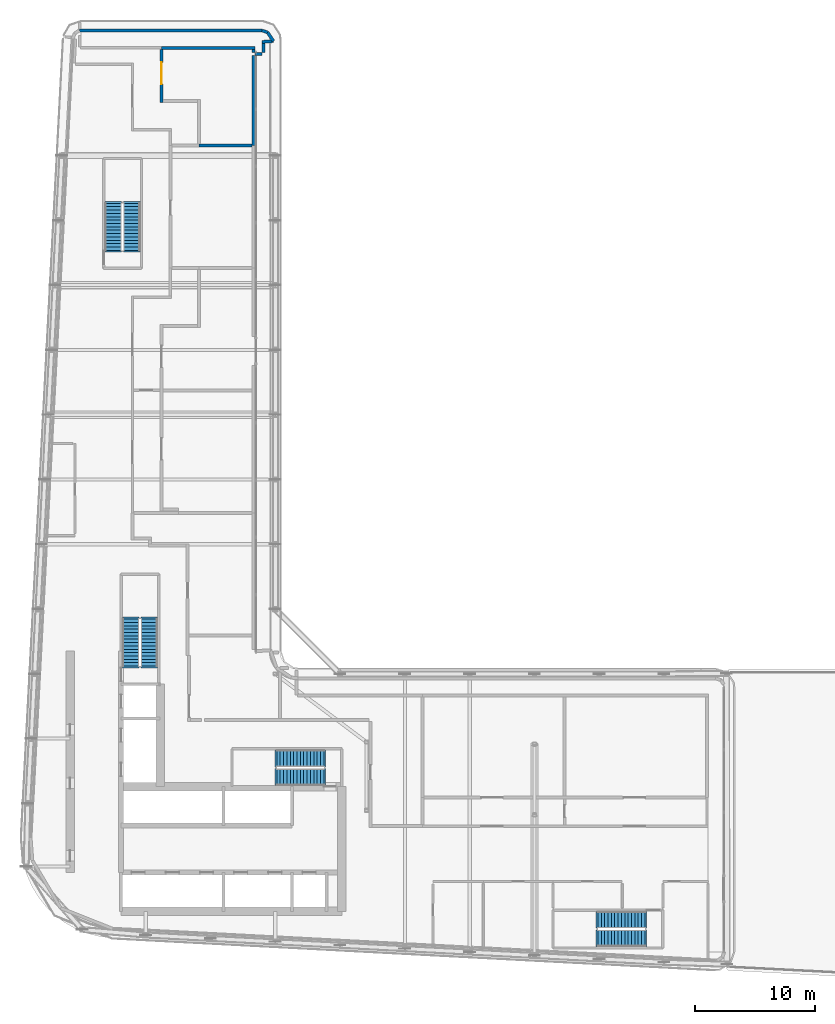
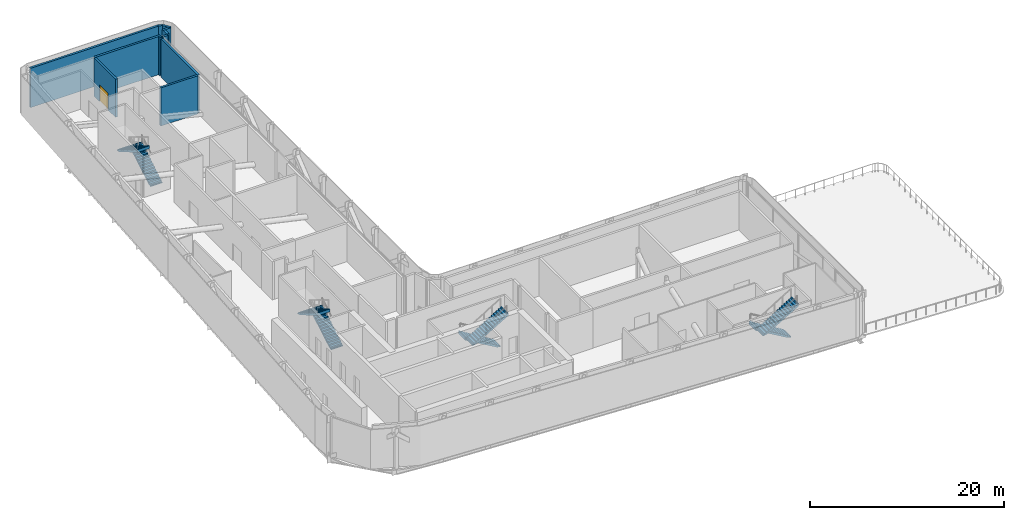
# One storey, part 16 of 23: 11 walls, 8 stair flights, 1 door, 1 opening, 4 elements without a shape of their own.
"""IFC4 building model written with IfcOpenShell, lengths in metres."""

from ifc_helpers import new_model, si_unit, direction, frame, frame_2d, origin, place, context, subcontext, project, spatial, polyline, rectangle, outline, extrude, source, transform, mapped, material, layer, layer_set, type_object, element, fill, aggregate, save


model = new_model("IFC4")

# Units and contexts
model_context = context("Model", 3, precision=1e-05, world=origin(), true_north=direction((0.0, 1.0)))
body_context = subcontext(model_context, "Body", "Model", "MODEL_VIEW")
ifc_project = project(units=[si_unit("LENGTHUNIT", "METRE"), si_unit("AREAUNIT", "SQUARE_METRE"), si_unit("VOLUMEUNIT", "CUBIC_METRE"), si_unit("PLANEANGLEUNIT", "RADIAN"), si_unit("MASSUNIT", "GRAM", prefix="KILO")], contexts=[model_context])

# Site, building, storey
site_placement = place(None, origin())
site = spatial("IfcSite", under=ifc_project, at=site_placement, CompositionType="ELEMENT")
building_placement = place(site_placement, origin())
building = spatial("IfcBuilding", under=site, at=building_placement, Name="Kheshtan School and Residences Tower", CompositionType="ELEMENT")
storey_placement = place(building_placement, frame((0.0, 0.0, 211.10009765625)))
storey = spatial("IfcBuildingStorey", under=building, at=storey_placement, Name="L49", CompositionType="ELEMENT", Elevation=211.10009765625)

# Walls
ifc_material_1 = material(Name="Concrete C40/50 with ceramic cladding and mineral wool insulation", Category="concrete")
ifc_layer_1 = layer(ifc_material_1, 0.25)
ifc_layer_set_1 = layer_set([ifc_layer_1], Name="External wall 250 ceramic clad")
wall_type_1 = type_object("IfcWallType", Name="External wall 250 ceramic clad", PredefinedType="SOLIDWALL", material=ifc_layer_set_1)
wall_1_placement = place(storey_placement, frame((31.26611328125, 99.22509765625, 0.0), z_axis=(0.0, 0.0, 1.0), x_axis=(1.0, 0.0, 0.0)))
element("IfcWall", 1, at=wall_1_placement, inside=storey, type_object=wall_type_1, Name="External wall L49 13", PredefinedType="SOLIDWALL", context=body_context, shape_type="SweptSolid", body=[
    extrude(rectangle(XDim=15.222900390625, YDim=0.25, at=frame_2d((7.611328125, 0.0))), origin(), (0.0, 0.0, 1.0), 4.949951171875),
])
wall_2_placement = place(storey_placement, frame((46.489013671875, 99.22509765625, 0.0), z_axis=(0.0, 0.0, 1.0), x_axis=(0.952979365451, -0.303035194367, 0.0)))
element("IfcWall", 2, at=wall_2_placement, inside=storey, type_object=wall_type_1, Name="External wall L49 14", PredefinedType="SOLIDWALL", context=body_context, shape_type="SweptSolid", body=[
    extrude(rectangle(XDim=0.478515625, YDim=0.25, at=frame_2d((0.2392578125, 0.0))), origin(), (0.0, 0.0, 1.0), 4.949951171875),
])
wall_3_placement = place(storey_placement, frame((46.945068359375, 99.080078125, 0.0), z_axis=(0.0, 0.0, 1.0), x_axis=(0.555015470263, -0.831840025347, 0.0)))
element("IfcWall", 3, at=wall_3_placement, inside=storey, type_object=wall_type_1, Name="External wall L49 15", PredefinedType="SOLIDWALL", context=body_context, shape_type="SweptSolid", body=[
    extrude(rectangle(XDim=0.893310546875, YDim=0.25, at=frame_2d((0.44677734375, 0.0))), origin(), (0.0, 0.0, 1.0), 4.949951171875),
])
wall_4_placement = place(storey_placement, frame((47.44091796875, 98.3369140625, 0.0), z_axis=(0.0, 0.0, 1.0), x_axis=(-0.997866442629, -0.065288304281, 0.0)))
element("IfcWall", 4, at=wall_4_placement, inside=storey, type_object=wall_type_1, Name="External wall L49 16", PredefinedType="SOLIDWALL", context=body_context, shape_type="SweptSolid", body=[
    extrude(rectangle(XDim=0.934814453125, YDim=0.25, at=frame_2d((0.46728515625, 0.0))), origin(), (0.0, 0.0, 1.0), 4.949951171875),
])
wall_5_placement = place(storey_placement, frame((46.625, 98.40087890625, 0.0), z_axis=(0.0, 0.0, 1.0), x_axis=(0.0, -1.0, 0.0)))
element("IfcWall", 5, at=wall_5_placement, inside=storey, type_object=wall_type_1, Name="External wall L49 17", PredefinedType="SOLIDWALL", context=body_context, shape_type="SweptSolid", body=[
    extrude(rectangle(XDim=1.0009765625, YDim=0.25, at=frame_2d((0.50048828125, 0.0))), origin(), (0.0, 0.0, 1.0), 4.949951171875),
])
wall_6_placement = place(storey_placement, frame((46.5, 97.27490234375, 0.0), z_axis=(0.0, 0.0, 1.0), x_axis=(-1.0, 0.0, 0.0)))
element("IfcWall", 6, at=wall_6_placement, inside=storey, type_object=wall_type_1, Name="External wall L49 18", PredefinedType="SOLIDWALL", context=body_context, shape_type="SweptSolid", body=[
    extrude(rectangle(XDim=0.60009765625, YDim=0.25, at=frame_2d((0.300048828125, 0.0))), origin(), (0.0, 0.0, 1.0), 4.949951171875),
])

# Wall, opening, door
ifc_material_2 = material(Name="Fire-board and steel stud wall with mineral wool", Category="steel")
ifc_layer_2 = layer(ifc_material_2, 0.25)
ifc_layer_set_2 = layer_set([ifc_layer_2], Name="Refuge compartment wall 250")
wall_type_2 = type_object("IfcWallType", Name="Refuge compartment wall 250", PredefinedType="PARTITIONING", material=ifc_layer_set_2)
wall_7_placement = place(storey_placement, frame((38.10009765625, 93.235107421875, 0.0), z_axis=(0.0, 0.0, 1.0), x_axis=(0.0, 1.0, 0.0)))
wall_7 = element("IfcWall", 7, at=wall_7_placement, inside=storey, type_object=wall_type_2, Name="Partition L49-018", PredefinedType="PARTITIONING", context=body_context, shape_type="SweptSolid", body=[
    extrude(rectangle(XDim=4.419921875, YDim=0.25, at=frame_2d((2.2099609375, 0.0))), origin(), (0.0, 0.0, 1.0), 4.7998046875),
])
opening_placement = place(wall_7_placement, frame((1.52490234375, 0.0, 0.0)))
opening = element("IfcOpeningElement", 8, at=opening_placement, cuts=wall_7, Name="Opening D49-008", PredefinedType="OPENING", context=body_context, shape_type="SweptSolid", body=[
    extrude(rectangle(XDim=1.800048828125, YDim=2.10009765625, at=frame_2d((0.89990234375, 1.050048828125))), frame((0.0, 0.135009765625, 0.0), z_axis=(0.0, -1.0, 0.0), x_axis=(1.0, 0.0, 0.0)), (0.0, 0.0, 1.0), 0.27001953125),
])
ifc_material_3 = material(Name="Steel-framed fire-resisting door leaf", Category="steel")
door_type = type_object("IfcDoorType", Name="Fire double door FD120 1800 x 2100", OperationType="DOUBLE_DOOR_SINGLE_SWING", PredefinedType="DOOR", material=ifc_material_3)
shared_shape = source(origin(), body_context, "Body", "SweptSolid", [
    extrude(rectangle(XDim=1.800048828125, YDim=2.10009765625, at=frame_2d((0.89990234375, 1.050048828125))), frame((0.0, 0.02490234375, 0.0), z_axis=(0.0, -1.0, 0.0), x_axis=(1.0, 0.0, 0.0)), (0.0, 0.0, 1.0), 0.050048828125),
])
door_placement = place(opening_placement, origin())
door = element("IfcDoor", 9, at=door_placement, inside=storey, type_object=door_type, Name="Door D49-008", OperationType="DOUBLE_DOOR_SINGLE_SWING", OverallHeight=2.10009765625, OverallWidth=1.800048828125, PredefinedType="DOOR", context=body_context, shape_type="MappedRepresentation", body=[
    mapped(shared_shape, transform((0.0, 0.0, 0.0), x_axis=(1.0, 0.0, 0.0), y_axis=(0.0, 1.0, 0.0), z_axis=(0.0, 0.0, 1.0), scale=1.0)),
])
fill(opening, door)

# Walls
wall_8_placement = place(storey_placement, frame((38.10009765625, 97.780029296875, 0.0), z_axis=(0.0, 0.0, 1.0), x_axis=(1.0, 0.0, 0.0)))
element("IfcWall", 10, at=wall_8_placement, inside=storey, type_object=wall_type_2, Name="Partition L49-019", PredefinedType="PARTITIONING", context=body_context, shape_type="SweptSolid", body=[
    extrude(rectangle(XDim=7.804931640625, YDim=0.25, at=frame_2d((3.90234375, 0.0))), origin(), (0.0, 0.0, 1.0), 4.7998046875),
])
wall_9_placement = place(storey_placement, frame((41.25, 89.658935546875, 0.0), z_axis=(0.0, 0.0, 1.0), x_axis=(1.0, 0.0, 0.0)))
element("IfcWall", 11, at=wall_9_placement, inside=storey, type_object=wall_type_2, Name="Partition L49-036", PredefinedType="PARTITIONING", context=body_context, shape_type="SweptSolid", body=[
    extrude(rectangle(XDim=4.405029296875, YDim=0.25, at=frame_2d((2.20263671875, 0.0))), origin(), (0.0, 0.0, 1.0), 4.7998046875),
])
wall_10_placement = place(storey_placement, frame((45.780029296875, 89.658935546875, 0.0), z_axis=(0.0, 0.0, 1.0), x_axis=(0.0, 1.0, 0.0)))
element("IfcWall", 12, at=wall_10_placement, inside=storey, type_object=wall_type_2, Name="Partition L49-043", PredefinedType="PARTITIONING", context=body_context, shape_type="SweptSolid", body=[
    extrude(rectangle(XDim=7.491943359375, YDim=0.25, at=frame_2d((3.74609375, 0.0))), origin(), (0.0, 0.0, 1.0), 4.7998046875),
])
wall_11_placement = place(storey_placement, frame((45.780029296875, 97.39892578125, 0.0), z_axis=(0.0, 0.0, 1.0), x_axis=(0.0, 1.0, 0.0)))
element("IfcWall", 13, at=wall_11_placement, inside=storey, type_object=wall_type_2, Name="Partition L49-044", PredefinedType="PARTITIONING", context=body_context, shape_type="SweptSolid", body=[
    extrude(rectangle(XDim=0.256103515625, YDim=0.25, at=frame_2d((0.1279296875, 0.0))), origin(), (0.0, 0.0, 1.0), 4.7998046875),
])

# Stair, stair flights
ifc_material_4 = material(Name="Concrete C40/50", Category="concrete")
stair_type = type_object("IfcStairType", Name="Exit stair, half-turn", PredefinedType="HALF_TURN_STAIR", material=ifc_material_4)
stair_1_placement = place(storey_placement, origin())
stair_1 = element("IfcStair", 14, at=stair_1_placement, inside=storey, type_object=stair_type, Name="L49 Protected Exit Stair ST1", PredefinedType="HALF_TURN_STAIR")
ifc_layer_3 = layer(ifc_material_4, 0.14990234375)
ifc_layer_set_3 = layer_set([ifc_layer_3], Name="Stair flight 1400 Concrete C40/50")
stair_flight_type = type_object("IfcStairFlightType", Name="Stair flight 1400 Concrete C40/50", PredefinedType="STRAIGHT", material=ifc_layer_set_3)
stair_flight_1_placement = place(storey_placement, frame((51.64990234375, 38.550048828125, 0.0), z_axis=(0.0, 0.0, 1.0), x_axis=(-1.0, 0.0, 0.0)))
stair_flight_1 = element("IfcStairFlight", 15, at=stair_flight_1_placement, type_object=stair_flight_type, Name="ST1 flight 1", NumberOfRisers=15, NumberOfTreads=14, PredefinedType="STRAIGHT", RiserHeight=0.17, TreadLength=0.28, context=body_context, shape_type="SweptSolid", body=[
    extrude(outline(polyline([(-0.14990234375, -0.10009765625), (-0.14990234375, 0.0), (0.0, 0.0), (0.0, 0.169921875), (0.280029296875, 0.169921875), (0.280029296875, 0.340087890625), (0.56005859375, 0.340087890625), (0.56005859375, 0.510009765625), (0.840087890625, 0.510009765625), (0.840087890625, 0.679931640625), (1.1201171875, 0.679931640625), (1.1201171875, 0.85009765625), (1.39990234375, 0.85009765625), (1.39990234375, 1.02001953125), (1.679931640625, 1.02001953125), (1.679931640625, 1.18994140625), (1.9599609375, 1.18994140625), (1.9599609375, 1.360107421875), (2.239990234375, 1.360107421875), (2.239990234375, 1.530029296875), (2.52001953125, 1.530029296875), (2.52001953125, 1.699951171875), (2.800048828125, 1.699951171875), (2.800048828125, 1.8701171875), (3.080078125, 1.8701171875), (3.080078125, 2.0400390625), (3.360107421875, 2.0400390625), (3.360107421875, 2.2099609375), (3.639892578125, 2.2099609375), (3.639892578125, 2.3798828125), (3.919921875, 2.3798828125), (3.919921875, 2.550048828125), (3.919921875, 2.570068359375), (4.06982421875, 2.570068359375), (4.06982421875, 2.20458984375), (0.288818359375, 0.0), (-0.14990234375, -0.10009765625)])), frame((0.0, 0.699951171875, 0.0), z_axis=(0.0, -1.0, 0.0), x_axis=(1.0, 0.0, 0.0)), (0.0, 0.0, 1.0), 1.39990234375),
])
stair_flight_2_placement = place(storey_placement, frame((47.72998046875, 37.0, 2.5498046875), z_axis=(0.0, 0.0, 1.0), x_axis=(1.0, 0.0, 0.0)))
stair_flight_2 = element("IfcStairFlight", 16, at=stair_flight_2_placement, type_object=stair_flight_type, Name="ST1 flight 2", NumberOfRisers=15, NumberOfTreads=14, PredefinedType="STRAIGHT", RiserHeight=0.17, TreadLength=0.28, context=body_context, shape_type="SweptSolid", body=[
    extrude(outline(polyline([(-0.14990234375, -0.10009765625), (-0.14990234375, 0.0), (0.0, 0.0), (0.0, 0.169921875), (0.280029296875, 0.169921875), (0.280029296875, 0.340087890625), (0.56005859375, 0.340087890625), (0.56005859375, 0.510009765625), (0.840087890625, 0.510009765625), (0.840087890625, 0.679931640625), (1.1201171875, 0.679931640625), (1.1201171875, 0.85009765625), (1.39990234375, 0.85009765625), (1.39990234375, 1.02001953125), (1.679931640625, 1.02001953125), (1.679931640625, 1.18994140625), (1.9599609375, 1.18994140625), (1.9599609375, 1.360107421875), (2.239990234375, 1.360107421875), (2.239990234375, 1.530029296875), (2.52001953125, 1.530029296875), (2.52001953125, 1.699951171875), (2.800048828125, 1.699951171875), (2.800048828125, 1.8701171875), (3.080078125, 1.8701171875), (3.080078125, 2.0400390625), (3.360107421875, 2.0400390625), (3.360107421875, 2.2099609375), (3.639892578125, 2.2099609375), (3.639892578125, 2.3798828125), (3.919921875, 2.3798828125), (3.919921875, 2.550048828125), (3.919921875, 2.570068359375), (4.06982421875, 2.570068359375), (4.06982421875, 2.20458984375), (0.288818359375, 0.0), (-0.14990234375, -0.10009765625)])), frame((0.0, 0.699951171875, 0.0), z_axis=(0.0, -1.0, 0.0), x_axis=(1.0, 0.0, 0.0)), (0.0, 0.0, 1.0), 1.39990234375),
])
aggregate(stair_1, [stair_flight_1, stair_flight_2])

stair_2_placement = place(storey_placement, origin())
stair_2 = element("IfcStair", 17, at=stair_2_placement, inside=storey, type_object=stair_type, Name="L49 Protected Exit Stair ST2", PredefinedType="HALF_TURN_STAIR")
stair_flight_3_placement = place(storey_placement, frame((37.10009765625, 46.25, 0.0), z_axis=(0.0, 0.0, 1.0), x_axis=(0.0, 1.0, 0.0)))
stair_flight_3 = element("IfcStairFlight", 18, at=stair_flight_3_placement, type_object=stair_flight_type, Name="ST2 flight 1", NumberOfRisers=15, NumberOfTreads=14, PredefinedType="STRAIGHT", RiserHeight=0.17, TreadLength=0.28, context=body_context, shape_type="SweptSolid", body=[
    extrude(outline(polyline([(-0.14990234375, -0.10009765625), (-0.14990234375, 0.0), (0.0, 0.0), (0.0, 0.169921875), (0.280029296875, 0.169921875), (0.280029296875, 0.340087890625), (0.56005859375, 0.340087890625), (0.56005859375, 0.510009765625), (0.840087890625, 0.510009765625), (0.840087890625, 0.679931640625), (1.1201171875, 0.679931640625), (1.1201171875, 0.85009765625), (1.39990234375, 0.85009765625), (1.39990234375, 1.02001953125), (1.679931640625, 1.02001953125), (1.679931640625, 1.18994140625), (1.9599609375, 1.18994140625), (1.9599609375, 1.360107421875), (2.239990234375, 1.360107421875), (2.239990234375, 1.530029296875), (2.52001953125, 1.530029296875), (2.52001953125, 1.699951171875), (2.800048828125, 1.699951171875), (2.800048828125, 1.8701171875), (3.080078125, 1.8701171875), (3.080078125, 2.0400390625), (3.360107421875, 2.0400390625), (3.360107421875, 2.2099609375), (3.639892578125, 2.2099609375), (3.639892578125, 2.3798828125), (3.919921875, 2.3798828125), (3.919921875, 2.550048828125), (3.919921875, 2.570068359375), (4.06982421875, 2.570068359375), (4.06982421875, 2.20458984375), (0.288818359375, 0.0), (-0.14990234375, -0.10009765625)])), frame((0.0, 0.699951171875, 0.0), z_axis=(0.0, -1.0, 0.0), x_axis=(1.0, 0.0, 0.0)), (0.0, 0.0, 1.0), 1.39990234375),
])
stair_flight_4_placement = place(storey_placement, frame((35.550048828125, 50.169921875, 2.5498046875), z_axis=(0.0, 0.0, 1.0), x_axis=(0.0, -1.0, 0.0)))
stair_flight_4 = element("IfcStairFlight", 19, at=stair_flight_4_placement, type_object=stair_flight_type, Name="ST2 flight 2", NumberOfRisers=15, NumberOfTreads=14, PredefinedType="STRAIGHT", RiserHeight=0.17, TreadLength=0.28, context=body_context, shape_type="SweptSolid", body=[
    extrude(outline(polyline([(-0.14990234375, -0.10009765625), (-0.14990234375, 0.0), (0.0, 0.0), (0.0, 0.169921875), (0.280029296875, 0.169921875), (0.280029296875, 0.340087890625), (0.56005859375, 0.340087890625), (0.56005859375, 0.510009765625), (0.840087890625, 0.510009765625), (0.840087890625, 0.679931640625), (1.1201171875, 0.679931640625), (1.1201171875, 0.85009765625), (1.39990234375, 0.85009765625), (1.39990234375, 1.02001953125), (1.679931640625, 1.02001953125), (1.679931640625, 1.18994140625), (1.9599609375, 1.18994140625), (1.9599609375, 1.360107421875), (2.239990234375, 1.360107421875), (2.239990234375, 1.530029296875), (2.52001953125, 1.530029296875), (2.52001953125, 1.699951171875), (2.800048828125, 1.699951171875), (2.800048828125, 1.8701171875), (3.080078125, 1.8701171875), (3.080078125, 2.0400390625), (3.360107421875, 2.0400390625), (3.360107421875, 2.2099609375), (3.639892578125, 2.2099609375), (3.639892578125, 2.3798828125), (3.919921875, 2.3798828125), (3.919921875, 2.550048828125), (3.919921875, 2.570068359375), (4.06982421875, 2.570068359375), (4.06982421875, 2.20458984375), (0.288818359375, 0.0), (-0.14990234375, -0.10009765625)])), frame((0.0, 0.699951171875, 0.0), z_axis=(0.0, -1.0, 0.0), x_axis=(1.0, 0.0, 0.0)), (0.0, 0.0, 1.0), 1.39990234375),
])
aggregate(stair_2, [stair_flight_3, stair_flight_4])

stair_3_placement = place(storey_placement, origin())
stair_3 = element("IfcStair", 20, at=stair_3_placement, inside=storey, type_object=stair_type, Name="L49 Protected Exit Stair ST3", PredefinedType="HALF_TURN_STAIR")
stair_flight_5_placement = place(storey_placement, frame((35.64990234375, 80.89990234375, 0.0), z_axis=(0.0, 0.0, 1.0), x_axis=(0.0, 1.0, 0.0)))
stair_flight_5 = element("IfcStairFlight", 21, at=stair_flight_5_placement, type_object=stair_flight_type, Name="ST3 flight 1", NumberOfRisers=15, NumberOfTreads=14, PredefinedType="STRAIGHT", RiserHeight=0.17, TreadLength=0.28, context=body_context, shape_type="SweptSolid", body=[
    extrude(outline(polyline([(-0.14990234375, -0.10009765625), (-0.14990234375, 0.0), (0.0, 0.0), (0.0, 0.169921875), (0.280029296875, 0.169921875), (0.280029296875, 0.340087890625), (0.56005859375, 0.340087890625), (0.56005859375, 0.510009765625), (0.840087890625, 0.510009765625), (0.840087890625, 0.679931640625), (1.1201171875, 0.679931640625), (1.1201171875, 0.85009765625), (1.39990234375, 0.85009765625), (1.39990234375, 1.02001953125), (1.679931640625, 1.02001953125), (1.679931640625, 1.18994140625), (1.9599609375, 1.18994140625), (1.9599609375, 1.360107421875), (2.239990234375, 1.360107421875), (2.239990234375, 1.530029296875), (2.52001953125, 1.530029296875), (2.52001953125, 1.699951171875), (2.800048828125, 1.699951171875), (2.800048828125, 1.8701171875), (3.080078125, 1.8701171875), (3.080078125, 2.0400390625), (3.360107421875, 2.0400390625), (3.360107421875, 2.2099609375), (3.639892578125, 2.2099609375), (3.639892578125, 2.3798828125), (3.919921875, 2.3798828125), (3.919921875, 2.550048828125), (3.919921875, 2.570068359375), (4.06982421875, 2.570068359375), (4.06982421875, 2.20458984375), (0.288818359375, 0.0), (-0.14990234375, -0.10009765625)])), frame((0.0, 0.699951171875, 0.0), z_axis=(0.0, -1.0, 0.0), x_axis=(1.0, 0.0, 0.0)), (0.0, 0.0, 1.0), 1.39990234375),
])
stair_flight_6_placement = place(storey_placement, frame((34.10009765625, 84.820068359375, 2.5498046875), z_axis=(0.0, 0.0, 1.0), x_axis=(0.0, -1.0, 0.0)))
stair_flight_6 = element("IfcStairFlight", 22, at=stair_flight_6_placement, type_object=stair_flight_type, Name="ST3 flight 2", NumberOfRisers=15, NumberOfTreads=14, PredefinedType="STRAIGHT", RiserHeight=0.17, TreadLength=0.28, context=body_context, shape_type="SweptSolid", body=[
    extrude(outline(polyline([(-0.14990234375, -0.10009765625), (-0.14990234375, 0.0), (0.0, 0.0), (0.0, 0.169921875), (0.280029296875, 0.169921875), (0.280029296875, 0.340087890625), (0.56005859375, 0.340087890625), (0.56005859375, 0.510009765625), (0.840087890625, 0.510009765625), (0.840087890625, 0.679931640625), (1.1201171875, 0.679931640625), (1.1201171875, 0.85009765625), (1.39990234375, 0.85009765625), (1.39990234375, 1.02001953125), (1.679931640625, 1.02001953125), (1.679931640625, 1.18994140625), (1.9599609375, 1.18994140625), (1.9599609375, 1.360107421875), (2.239990234375, 1.360107421875), (2.239990234375, 1.530029296875), (2.52001953125, 1.530029296875), (2.52001953125, 1.699951171875), (2.800048828125, 1.699951171875), (2.800048828125, 1.8701171875), (3.080078125, 1.8701171875), (3.080078125, 2.0400390625), (3.360107421875, 2.0400390625), (3.360107421875, 2.2099609375), (3.639892578125, 2.2099609375), (3.639892578125, 2.3798828125), (3.919921875, 2.3798828125), (3.919921875, 2.550048828125), (3.919921875, 2.570068359375), (4.06982421875, 2.570068359375), (4.06982421875, 2.20458984375), (0.288818359375, 0.0), (-0.14990234375, -0.10009765625)])), frame((0.0, 0.699951171875, 0.0), z_axis=(0.0, -1.0, 0.0), x_axis=(1.0, 0.0, 0.0)), (0.0, 0.0, 1.0), 1.39990234375),
])
aggregate(stair_3, [stair_flight_5, stair_flight_6])

stair_4_placement = place(storey_placement, origin())
stair_4 = element("IfcStair", 23, at=stair_4_placement, inside=storey, type_object=stair_type, Name="L49 Protected Exit Stair ST5", PredefinedType="HALF_TURN_STAIR")
stair_flight_7_placement = place(storey_placement, frame((78.409912109375, 25.10009765625, 0.0), z_axis=(0.0, 0.0, 1.0), x_axis=(-1.0, 0.0, 0.0)))
stair_flight_7 = element("IfcStairFlight", 24, at=stair_flight_7_placement, type_object=stair_flight_type, Name="ST5 flight 1", NumberOfRisers=15, NumberOfTreads=14, PredefinedType="STRAIGHT", RiserHeight=0.17, TreadLength=0.28, context=body_context, shape_type="SweptSolid", body=[
    extrude(outline(polyline([(-0.14990234375, -0.10009765625), (-0.14990234375, 0.0), (0.0, 0.0), (0.0, 0.169921875), (0.280029296875, 0.169921875), (0.280029296875, 0.340087890625), (0.56005859375, 0.340087890625), (0.56005859375, 0.510009765625), (0.840087890625, 0.510009765625), (0.840087890625, 0.679931640625), (1.1201171875, 0.679931640625), (1.1201171875, 0.85009765625), (1.39990234375, 0.85009765625), (1.39990234375, 1.02001953125), (1.679931640625, 1.02001953125), (1.679931640625, 1.18994140625), (1.9599609375, 1.18994140625), (1.9599609375, 1.360107421875), (2.239990234375, 1.360107421875), (2.239990234375, 1.530029296875), (2.52001953125, 1.530029296875), (2.52001953125, 1.699951171875), (2.800048828125, 1.699951171875), (2.800048828125, 1.8701171875), (3.080078125, 1.8701171875), (3.080078125, 2.0400390625), (3.360107421875, 2.0400390625), (3.360107421875, 2.2099609375), (3.639892578125, 2.2099609375), (3.639892578125, 2.3798828125), (3.919921875, 2.3798828125), (3.919921875, 2.550048828125), (3.919921875, 2.570068359375), (4.06982421875, 2.570068359375), (4.06982421875, 2.20458984375), (0.288818359375, 0.0), (-0.14990234375, -0.10009765625)])), frame((0.0, 0.699951171875, 0.0), z_axis=(0.0, -1.0, 0.0), x_axis=(1.0, 0.0, 0.0)), (0.0, 0.0, 1.0), 1.39990234375),
])
stair_flight_8_placement = place(storey_placement, frame((74.489990234375, 23.550048828125, 2.5498046875), z_axis=(0.0, 0.0, 1.0), x_axis=(1.0, 0.0, 0.0)))
stair_flight_8 = element("IfcStairFlight", 25, at=stair_flight_8_placement, type_object=stair_flight_type, Name="ST5 flight 2", NumberOfRisers=15, NumberOfTreads=14, PredefinedType="STRAIGHT", RiserHeight=0.17, TreadLength=0.28, context=body_context, shape_type="SweptSolid", body=[
    extrude(outline(polyline([(-0.14990234375, -0.10009765625), (-0.14990234375, 0.0), (0.0, 0.0), (0.0, 0.169921875), (0.280029296875, 0.169921875), (0.280029296875, 0.340087890625), (0.56005859375, 0.340087890625), (0.56005859375, 0.510009765625), (0.840087890625, 0.510009765625), (0.840087890625, 0.679931640625), (1.1201171875, 0.679931640625), (1.1201171875, 0.85009765625), (1.39990234375, 0.85009765625), (1.39990234375, 1.02001953125), (1.679931640625, 1.02001953125), (1.679931640625, 1.18994140625), (1.9599609375, 1.18994140625), (1.9599609375, 1.360107421875), (2.239990234375, 1.360107421875), (2.239990234375, 1.530029296875), (2.52001953125, 1.530029296875), (2.52001953125, 1.699951171875), (2.800048828125, 1.699951171875), (2.800048828125, 1.8701171875), (3.080078125, 1.8701171875), (3.080078125, 2.0400390625), (3.360107421875, 2.0400390625), (3.360107421875, 2.2099609375), (3.639892578125, 2.2099609375), (3.639892578125, 2.3798828125), (3.919921875, 2.3798828125), (3.919921875, 2.550048828125), (3.919921875, 2.570068359375), (4.06982421875, 2.570068359375), (4.06982421875, 2.20458984375), (0.288818359375, 0.0), (-0.14990234375, -0.10009765625)])), frame((0.0, 0.699951171875, 0.0), z_axis=(0.0, -1.0, 0.0), x_axis=(1.0, 0.0, 0.0)), (0.0, 0.0, 1.0), 1.39990234375),
])
aggregate(stair_4, [stair_flight_7, stair_flight_8])

save(model, "model.ifc")
